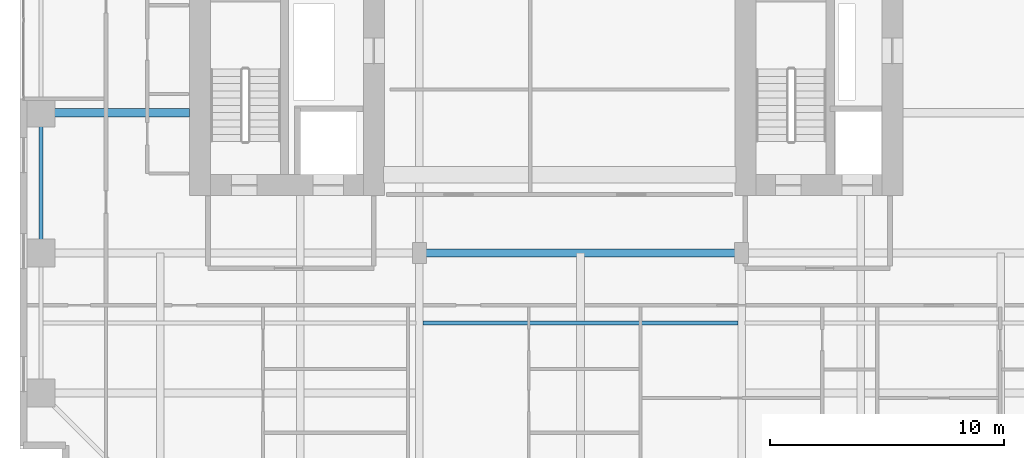
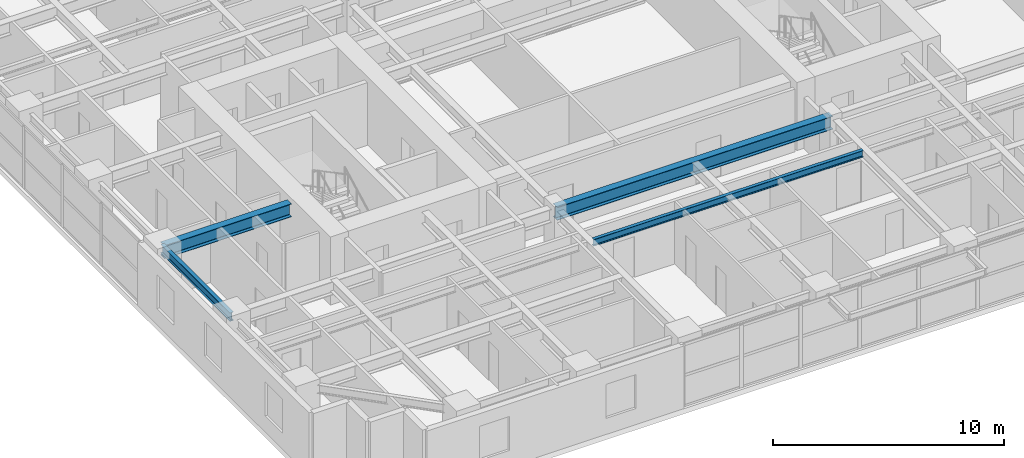
# One storey, part 4 of 24: 4 beams.
"""IFC4 building model written with IfcOpenShell, lengths in metres."""

from ifc_helpers import new_model, si_unit, direction, frame, origin, origin_2d, place, context, subcontext, project, spatial, i_section, extrude, source, transform, mapped, material, material_profile, profile_set, type_object, element, save


model = new_model("IFC4")

# Units and contexts
model_context = context("Model", 3, precision=1e-05, world=origin(), true_north=direction((0.0, 1.0)))
body_context = subcontext(model_context, "Body", "Model", "MODEL_VIEW")
ifc_project = project(units=[si_unit("LENGTHUNIT", "METRE"), si_unit("AREAUNIT", "SQUARE_METRE"), si_unit("VOLUMEUNIT", "CUBIC_METRE"), si_unit("PLANEANGLEUNIT", "RADIAN"), si_unit("MASSUNIT", "GRAM", prefix="KILO")], contexts=[model_context])

# Site, building, storey
site_placement = place(None, origin())
site = spatial("IfcSite", under=ifc_project, at=site_placement, CompositionType="ELEMENT")
building_placement = place(site_placement, origin())
building = spatial("IfcBuilding", under=site, at=building_placement, Name="Khoralis Quay Care Tower", CompositionType="ELEMENT")
storey_placement = place(building_placement, frame((0.0, 0.0, 54.89990234375)))
storey = spatial("IfcBuildingStorey", under=building, at=storey_placement, Name="L14", CompositionType="ELEMENT", Elevation=54.89990234375)

# Beams
ifc_material = material(Name="Steel S355", Category="steel")
ifc_material_profile_1 = material_profile(ifc_material, i_section(OverallWidth=0.18994140625, OverallDepth=0.449951171875, WebThickness=0.009521484375, FlangeThickness=0.0146484375, FilletRadius=0.02099609375, at=origin_2d()), Name="Steel S355")
ifc_profile_set_1 = profile_set([ifc_material_profile_1], Name="Steel S355")
beam_type_1 = type_object("IfcBeamType", Name="BM-IPE450", PredefinedType="SPANDREL", material=ifc_profile_set_1)
shared_shape_1 = source(origin(), body_context, "Body", "SweptSolid", [
    extrude(i_section(OverallWidth=0.18994140625, OverallDepth=0.449951171875, WebThickness=0.009521484375, FlangeThickness=0.0146484375, FilletRadius=0.02099609375, at=origin_2d()), origin(), (0.0, 0.0, 1.0), 6.0),
])
beam_1_placement = place(storey_placement, frame((0.89990234375, 12.0, 3.09521484375), z_axis=(0.0, 1.0, 0.0), x_axis=(-1.0, 0.0, 0.0)))
element("IfcBeam", 1, at=beam_1_placement, inside=storey, type_object=beam_type_1, Name="BM-TSP-L14-14", PredefinedType="SPANDREL", context=body_context, shape_type="MappedRepresentation", body=[
    mapped(shared_shape_1, transform((0.0, 0.0, 0.0), scale=1.0)),
])
ifc_material_profile_2 = material_profile(ifc_material, i_section(OverallWidth=0.35498046875, OverallDepth=0.695068359375, WebThickness=0.015380859375, FlangeThickness=0.02490234375, FilletRadius=0.02001953125, at=origin_2d()), Name="Steel S355")
ifc_profile_set_2 = profile_set([ifc_material_profile_2], Name="Steel S355")
beam_type_2 = type_object("IfcBeamType", Name="BM-W690X217", PredefinedType="BEAM", material=ifc_profile_set_2)
shared_shape_2 = source(origin(), body_context, "Body", "SweptSolid", [
    extrude(i_section(OverallWidth=0.35498046875, OverallDepth=0.695068359375, WebThickness=0.015380859375, FlangeThickness=0.02490234375, FilletRadius=0.02001953125, at=origin_2d()), origin(), (0.0, 0.0, 1.0), 6.35205078125),
])
beam_2_placement = place(storey_placement, frame((0.89990234375, 18.0, 2.97265625), z_axis=(1.0, 0.0, 0.0), x_axis=(0.0, 1.0, 0.0)))
element("IfcBeam", 2, at=beam_2_placement, inside=storey, type_object=beam_type_2, Name="BM-TGXW-L14-180", PredefinedType="BEAM", context=body_context, shape_type="MappedRepresentation", body=[
    mapped(shared_shape_2, transform((0.0, 0.0, 0.0), scale=1.0)),
])
shared_shape_3 = source(origin(), body_context, "Body", "SweptSolid", [
    extrude(i_section(OverallWidth=0.35498046875, OverallDepth=0.695068359375, WebThickness=0.015380859375, FlangeThickness=0.02490234375, FilletRadius=0.02001953125, at=origin_2d()), origin(), (0.0, 0.0, 1.0), 13.7998046875),
])
beam_3_placement = place(storey_placement, frame((17.10009765625, 12.0, 2.97265625), z_axis=(1.0, 0.0, 0.0), x_axis=(0.0, 1.0, 0.0)))
element("IfcBeam", 3, at=beam_3_placement, inside=storey, type_object=beam_type_2, Name="BM-TGCC-L14-120", PredefinedType="BEAM", context=body_context, shape_type="MappedRepresentation", body=[
    mapped(shared_shape_3, transform((0.0, 0.0, 0.0), scale=1.0)),
])
ifc_material_profile_3 = material_profile(ifc_material, i_section(OverallWidth=0.1708984375, OverallDepth=0.35498046875, WebThickness=0.007080078125, FlangeThickness=0.01171875, FilletRadius=0.012939453125, at=origin_2d()), Name="Steel S355")
ifc_profile_set_3 = profile_set([ifc_material_profile_3], Name="Steel S355")
beam_type_3 = type_object("IfcBeamType", Name="BM-W360X51", PredefinedType="JOIST", material=ifc_profile_set_3)
shared_shape_4 = source(origin(), body_context, "Body", "SweptSolid", [
    extrude(i_section(OverallWidth=0.1708984375, OverallDepth=0.35498046875, WebThickness=0.007080078125, FlangeThickness=0.01171875, FilletRadius=0.012939453125, at=origin_2d()), origin(), (0.0, 0.0, 1.0), 13.4990234375),
])
beam_4_placement = place(storey_placement, frame((17.25048828125, 9.0, 3.142578125), z_axis=(1.0, 0.0, 0.0), x_axis=(0.0, 1.0, 0.0)))
element("IfcBeam", 4, at=beam_4_placement, inside=storey, type_object=beam_type_3, Name="BM-TJS-L14-31", PredefinedType="JOIST", context=body_context, shape_type="MappedRepresentation", body=[
    mapped(shared_shape_4, transform((0.0, 0.0, 0.0), scale=1.0)),
])

save(model, "model.ifc")
